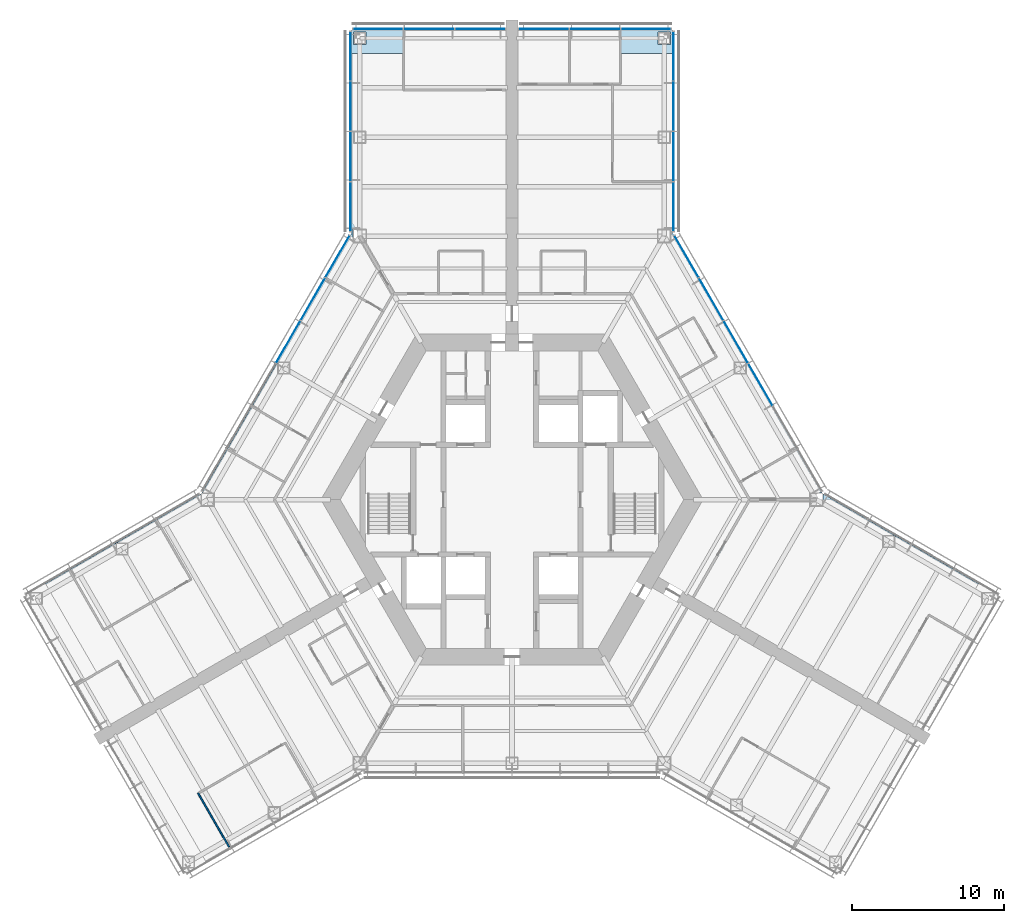
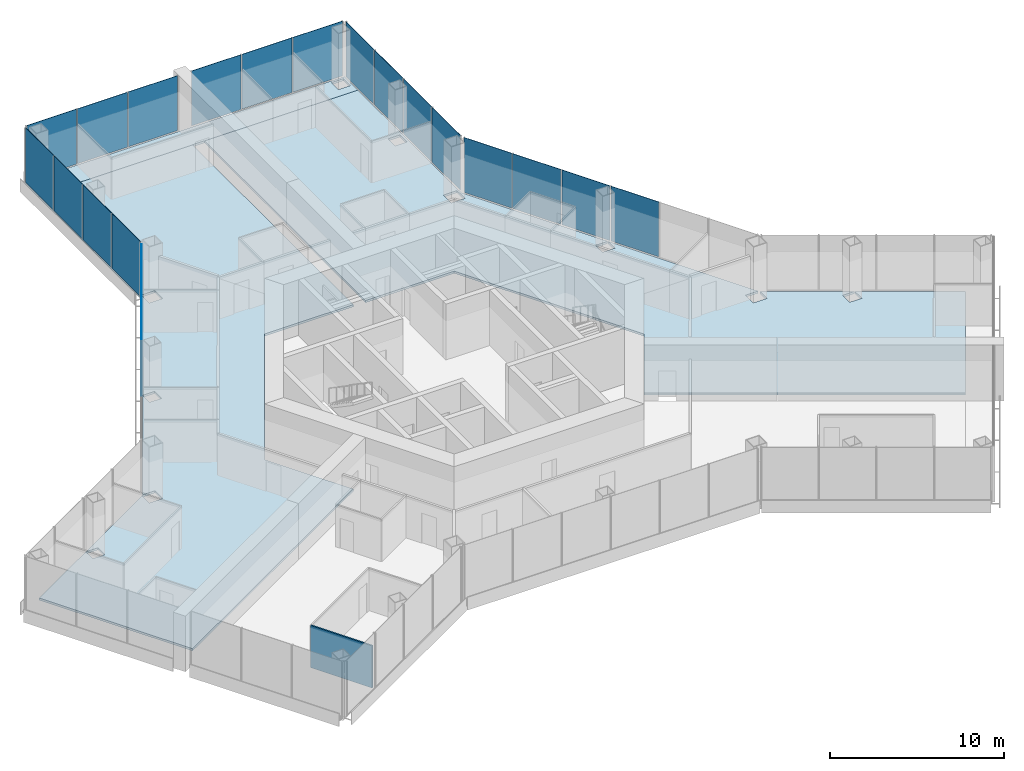
# One storey, part 11 of 18: 21 plates, 3 slabs, 1 wall, 6 elements without a shape of their own.
"""IFC4 building model written with IfcOpenShell, lengths in metres."""

from ifc_helpers import new_model, si_unit, direction, frame, frame_2d, origin, origin_2d, place, context, subcontext, project, spatial, polyline, rectangle, outline, extrude, material, layer, layer_set, type_object, element, aggregate, save


model = new_model("IFC4")

# Units and contexts
model_context = context("Model", 3, precision=1e-05, world=origin(), true_north=direction((0.0, 1.0)))
body_context = subcontext(model_context, "Body", "Model", "MODEL_VIEW")
ifc_project = project(units=[si_unit("LENGTHUNIT", "METRE"), si_unit("AREAUNIT", "SQUARE_METRE"), si_unit("VOLUMEUNIT", "CUBIC_METRE"), si_unit("PLANEANGLEUNIT", "RADIAN"), si_unit("MASSUNIT", "GRAM", prefix="KILO")], contexts=[model_context])

# Site, building, storey
site_placement = place(None, origin())
site = spatial("IfcSite", under=ifc_project, at=site_placement, CompositionType="ELEMENT")
building_placement = place(site_placement, origin())
building = spatial("IfcBuilding", under=site, at=building_placement, Name="Kasaneha Research Tower", CompositionType="ELEMENT")
storey_placement = place(building_placement, frame((0.0, 0.0, 72.89990234375)))
storey = spatial("IfcBuildingStorey", under=building, at=storey_placement, Name="L18", CompositionType="ELEMENT", Elevation=72.89990234375)

# Curtain wall, plates
ifc_material_1 = material(Name="Glass and aluminium", Category="aluminium")
curtain_wall_type = type_object("IfcCurtainWallType", Name="Low-rise office curtain wall", PredefinedType="USERDEFINED", material=ifc_material_1)
curtain_wall_1_placement = place(storey_placement, origin())
curtain_wall_1 = element("IfcCurtainWall", 1, at=curtain_wall_1_placement, inside=storey, type_object=curtain_wall_type, Name="CW-O1 L18 run 07a", ObjectType="UNITISED CURTAIN WALL", PredefinedType="USERDEFINED")
ifc_material_2 = material(Name="Laminated double glazing", Category="glass")
ifc_layer_1 = layer(ifc_material_2, 0.028076171875)
ifc_layer_set_1 = layer_set([ifc_layer_1], Name="CW-O1 glazed panel")
plate_type = type_object("IfcPlateType", Name="CW-O1 glazed panel", PredefinedType="CURTAIN_PANEL", material=ifc_layer_set_1)
plate_1_placement = place(storey_placement, frame((16.331298828125, 7.554443359375, 0.06005859375), z_axis=(0.0, 0.0, 1.0), x_axis=(-0.49999996188, 0.866025425793, 0.0)))
plate_1 = element("IfcPlate", 2, at=plate_1_placement, type_object=plate_type, Name="CW-O1 panel 3", PredefinedType="CURTAIN_PANEL", context=body_context, shape_type="SweptSolid", body=[
    extrude(rectangle(XDim=3.1865234375, YDim=0.028076171875, at=origin_2d()), origin(), (0.0, 0.0, 1.0), 3.840087890625),
])
plate_2_placement = place(storey_placement, frame((14.7080078125, 10.365966796875, 0.06005859375), z_axis=(0.0, 0.0, 1.0), x_axis=(-0.49999996188, 0.866025425793, 0.0)))
plate_2 = element("IfcPlate", 3, at=plate_2_placement, type_object=plate_type, Name="CW-O1 panel 4", PredefinedType="CURTAIN_PANEL", context=body_context, shape_type="SweptSolid", body=[
    extrude(rectangle(XDim=3.1865234375, YDim=0.028076171875, at=origin_2d()), origin(), (0.0, 0.0, 1.0), 3.840087890625),
])
plate_3_placement = place(storey_placement, frame((13.084716796875, 13.177490234375, 0.06005859375), z_axis=(0.0, 0.0, 1.0), x_axis=(-0.49999996188, 0.866025425793, 0.0)))
plate_3 = element("IfcPlate", 4, at=plate_3_placement, type_object=plate_type, Name="CW-O1 panel 5", PredefinedType="CURTAIN_PANEL", context=body_context, shape_type="SweptSolid", body=[
    extrude(rectangle(XDim=3.1865234375, YDim=0.028076171875, at=origin_2d()), origin(), (0.0, 0.0, 1.0), 3.840087890625),
])
plate_4_placement = place(storey_placement, frame((11.468994140625, 15.975830078125, 0.06005859375), z_axis=(0.0, 0.0, 1.0), x_axis=(-0.49999996188, 0.866025425793, 0.0)))
plate_4 = element("IfcPlate", 5, at=plate_4_placement, type_object=plate_type, Name="CW-O1 panel 6", PredefinedType="CURTAIN_PANEL", context=body_context, shape_type="SweptSolid", body=[
    extrude(rectangle(XDim=3.156494140625, YDim=0.028076171875, at=origin_2d()), origin(), (0.0, 0.0, 1.0), 3.840087890625),
])
aggregate(curtain_wall_1, [plate_1, plate_2, plate_3, plate_4])

curtain_wall_2_placement = place(storey_placement, origin())
curtain_wall_2 = element("IfcCurtainWall", 6, at=curtain_wall_2_placement, inside=storey, type_object=curtain_wall_type, Name="CW-O1 L18 run 08a", ObjectType="UNITISED CURTAIN WALL", PredefinedType="USERDEFINED")
plate_5_placement = place(storey_placement, frame((10.60009765625, 19.251220703125, 0.06005859375), z_axis=(0.0, 0.0, 1.0), x_axis=(0.0, 1.0, 0.0)))
plate_5 = element("IfcPlate", 7, at=plate_5_placement, type_object=plate_type, Name="CW-O1 panel 1", PredefinedType="CURTAIN_PANEL", context=body_context, shape_type="SweptSolid", body=[
    extrude(rectangle(XDim=3.2197265625, YDim=0.028076171875, at=origin_2d()), origin(), (0.0, 0.0, 1.0), 3.840087890625),
])
plate_6_placement = place(storey_placement, frame((10.60009765625, 22.5458984375, 0.06005859375), z_axis=(0.0, 0.0, 1.0), x_axis=(0.0, 1.0, 0.0)))
plate_6 = element("IfcPlate", 8, at=plate_6_placement, type_object=plate_type, Name="CW-O1 panel 2", PredefinedType="CURTAIN_PANEL", context=body_context, shape_type="SweptSolid", body=[
    extrude(rectangle(XDim=3.249755859375, YDim=0.028076171875, at=origin_2d()), origin(), (0.0, 0.0, 1.0), 3.840087890625),
])
plate_7_placement = place(storey_placement, frame((10.60009765625, 25.855712890625, 0.06005859375), z_axis=(0.0, 0.0, 1.0), x_axis=(0.0, 1.0, 0.0)))
plate_7 = element("IfcPlate", 9, at=plate_7_placement, type_object=plate_type, Name="CW-O1 panel 3", PredefinedType="CURTAIN_PANEL", context=body_context, shape_type="SweptSolid", body=[
    extrude(rectangle(XDim=3.249755859375, YDim=0.028076171875, at=origin_2d()), origin(), (0.0, 0.0, 1.0), 3.840087890625),
])
plate_8_placement = place(storey_placement, frame((10.60009765625, 29.150634765625, 0.06005859375), z_axis=(0.0, 0.0, 1.0), x_axis=(0.0, 1.0, 0.0)))
plate_8 = element("IfcPlate", 10, at=plate_8_placement, type_object=plate_type, Name="CW-O1 panel 4", PredefinedType="CURTAIN_PANEL", context=body_context, shape_type="SweptSolid", body=[
    extrude(rectangle(XDim=3.2197265625, YDim=0.028076171875, at=origin_2d()), origin(), (0.0, 0.0, 1.0), 3.840087890625),
])
aggregate(curtain_wall_2, [plate_5, plate_6, plate_7, plate_8])

curtain_wall_3_placement = place(storey_placement, origin())
curtain_wall_3 = element("IfcCurtainWall", 11, at=curtain_wall_3_placement, inside=storey, type_object=curtain_wall_type, Name="CW-O1 L18 run 09a", ObjectType="UNITISED CURTAIN WALL", PredefinedType="USERDEFINED")
plate_9_placement = place(storey_placement, frame((8.8017578125, 30.92041015625, 0.06005859375), z_axis=(0.0, 0.0, 1.0), x_axis=(-1.0, 0.0, 0.0)))
plate_9 = element("IfcPlate", 12, at=plate_9_placement, type_object=plate_type, Name="CW-O1 panel 1", PredefinedType="CURTAIN_PANEL", context=body_context, shape_type="SweptSolid", body=[
    extrude(rectangle(XDim=3.276611328125, YDim=0.028076171875, at=origin_2d()), origin(), (0.0, 0.0, 1.0), 3.840087890625),
])
plate_10_placement = place(storey_placement, frame((5.449951171875, 30.92041015625, 0.06005859375), z_axis=(0.0, 0.0, 1.0), x_axis=(-1.0, 0.0, 0.0)))
plate_10 = element("IfcPlate", 13, at=plate_10_placement, type_object=plate_type, Name="CW-O1 panel 2", PredefinedType="CURTAIN_PANEL", context=body_context, shape_type="SweptSolid", body=[
    extrude(rectangle(XDim=3.306640625, YDim=0.028076171875, at=origin_2d()), origin(), (0.0, 0.0, 1.0), 3.840087890625),
])
plate_11_placement = place(storey_placement, frame((2.098388671875, 30.92041015625, 0.06005859375), z_axis=(0.0, 0.0, 1.0), x_axis=(-1.0, 0.0, 0.0)))
plate_11 = element("IfcPlate", 14, at=plate_11_placement, type_object=plate_type, Name="CW-O1 panel 3", PredefinedType="CURTAIN_PANEL", context=body_context, shape_type="SweptSolid", body=[
    extrude(rectangle(XDim=3.276611328125, YDim=0.028076171875, at=origin_2d()), origin(), (0.0, 0.0, 1.0), 3.840087890625),
])
aggregate(curtain_wall_3, [plate_9, plate_10, plate_11])

curtain_wall_4_placement = place(storey_placement, origin())
curtain_wall_4 = element("IfcCurtainWall", 15, at=curtain_wall_4_placement, inside=storey, type_object=curtain_wall_type, Name="CW-O1 L18 run 10a", ObjectType="UNITISED CURTAIN WALL", PredefinedType="USERDEFINED")
plate_12_placement = place(storey_placement, frame((-2.098388671875, 30.92041015625, 0.06005859375), z_axis=(0.0, 0.0, 1.0), x_axis=(-1.0, 0.0, 0.0)))
plate_12 = element("IfcPlate", 16, at=plate_12_placement, type_object=plate_type, Name="CW-O1 panel 1", PredefinedType="CURTAIN_PANEL", context=body_context, shape_type="SweptSolid", body=[
    extrude(rectangle(XDim=3.276611328125, YDim=0.028076171875, at=origin_2d()), origin(), (0.0, 0.0, 1.0), 3.840087890625),
])
plate_13_placement = place(storey_placement, frame((-5.449951171875, 30.92041015625, 0.06005859375), z_axis=(0.0, 0.0, 1.0), x_axis=(-1.0, 0.0, 0.0)))
plate_13 = element("IfcPlate", 17, at=plate_13_placement, type_object=plate_type, Name="CW-O1 panel 2", PredefinedType="CURTAIN_PANEL", context=body_context, shape_type="SweptSolid", body=[
    extrude(rectangle(XDim=3.306640625, YDim=0.028076171875, at=origin_2d()), origin(), (0.0, 0.0, 1.0), 3.840087890625),
])
plate_14_placement = place(storey_placement, frame((-8.8017578125, 30.92041015625, 0.06005859375), z_axis=(0.0, 0.0, 1.0), x_axis=(-1.0, 0.0, 0.0)))
plate_14 = element("IfcPlate", 18, at=plate_14_placement, type_object=plate_type, Name="CW-O1 panel 3", PredefinedType="CURTAIN_PANEL", context=body_context, shape_type="SweptSolid", body=[
    extrude(rectangle(XDim=3.276611328125, YDim=0.028076171875, at=origin_2d()), origin(), (0.0, 0.0, 1.0), 3.840087890625),
])
aggregate(curtain_wall_4, [plate_12, plate_13, plate_14])

curtain_wall_5_placement = place(storey_placement, origin())
curtain_wall_5 = element("IfcCurtainWall", 19, at=curtain_wall_5_placement, inside=storey, type_object=curtain_wall_type, Name="CW-O1 L18 run 11a", ObjectType="UNITISED CURTAIN WALL", PredefinedType="USERDEFINED")
plate_15_placement = place(storey_placement, frame((-10.60009765625, 29.150634765625, 0.06005859375), z_axis=(0.0, 0.0, 1.0), x_axis=(0.0, -1.0, 0.0)))
plate_15 = element("IfcPlate", 20, at=plate_15_placement, type_object=plate_type, Name="CW-O1 panel 1", PredefinedType="CURTAIN_PANEL", context=body_context, shape_type="SweptSolid", body=[
    extrude(rectangle(XDim=3.2197265625, YDim=0.028076171875, at=origin_2d()), origin(), (0.0, 0.0, 1.0), 3.840087890625),
])
plate_16_placement = place(storey_placement, frame((-10.60009765625, 25.855712890625, 0.06005859375), z_axis=(0.0, 0.0, 1.0), x_axis=(0.0, -1.0, 0.0)))
plate_16 = element("IfcPlate", 21, at=plate_16_placement, type_object=plate_type, Name="CW-O1 panel 2", PredefinedType="CURTAIN_PANEL", context=body_context, shape_type="SweptSolid", body=[
    extrude(rectangle(XDim=3.249755859375, YDim=0.028076171875, at=origin_2d()), origin(), (0.0, 0.0, 1.0), 3.840087890625),
])
plate_17_placement = place(storey_placement, frame((-10.60009765625, 22.5458984375, 0.06005859375), z_axis=(0.0, 0.0, 1.0), x_axis=(0.0, -1.0, 0.0)))
plate_17 = element("IfcPlate", 22, at=plate_17_placement, type_object=plate_type, Name="CW-O1 panel 3", PredefinedType="CURTAIN_PANEL", context=body_context, shape_type="SweptSolid", body=[
    extrude(rectangle(XDim=3.249755859375, YDim=0.028076171875, at=origin_2d()), origin(), (0.0, 0.0, 1.0), 3.840087890625),
])
plate_18_placement = place(storey_placement, frame((-10.60009765625, 19.251220703125, 0.06005859375), z_axis=(0.0, 0.0, 1.0), x_axis=(0.0, -1.0, 0.0)))
plate_18 = element("IfcPlate", 23, at=plate_18_placement, type_object=plate_type, Name="CW-O1 panel 4", PredefinedType="CURTAIN_PANEL", context=body_context, shape_type="SweptSolid", body=[
    extrude(rectangle(XDim=3.2197265625, YDim=0.028076171875, at=origin_2d()), origin(), (0.0, 0.0, 1.0), 3.840087890625),
])
aggregate(curtain_wall_5, [plate_15, plate_16, plate_17, plate_18])

curtain_wall_6_placement = place(storey_placement, origin())
curtain_wall_6 = element("IfcCurtainWall", 24, at=curtain_wall_6_placement, inside=storey, type_object=curtain_wall_type, Name="CW-O1 L18 run 12a", ObjectType="UNITISED CURTAIN WALL", PredefinedType="USERDEFINED")
plate_19_placement = place(storey_placement, frame((-11.468994140625, 15.975830078125, 0.06005859375), z_axis=(0.0, 0.0, 1.0), x_axis=(-0.49999996188, -0.866025425793, 0.0)))
plate_19 = element("IfcPlate", 25, at=plate_19_placement, type_object=plate_type, Name="CW-O1 panel 1", PredefinedType="CURTAIN_PANEL", context=body_context, shape_type="SweptSolid", body=[
    extrude(rectangle(XDim=3.156494140625, YDim=0.028076171875, at=origin_2d()), origin(), (0.0, 0.0, 1.0), 3.840087890625),
])
plate_20_placement = place(storey_placement, frame((-13.084716796875, 13.177490234375, 0.06005859375), z_axis=(0.0, 0.0, 1.0), x_axis=(-0.49999996188, -0.866025425793, 0.0)))
plate_20 = element("IfcPlate", 26, at=plate_20_placement, type_object=plate_type, Name="CW-O1 panel 2", PredefinedType="CURTAIN_PANEL", context=body_context, shape_type="SweptSolid", body=[
    extrude(rectangle(XDim=3.1865234375, YDim=0.028076171875, at=origin_2d()), origin(), (0.0, 0.0, 1.0), 3.840087890625),
])
plate_21_placement = place(storey_placement, frame((-14.7080078125, 10.365966796875, 0.06005859375), z_axis=(0.0, 0.0, 1.0), x_axis=(-0.49999996188, -0.866025425793, 0.0)))
plate_21 = element("IfcPlate", 27, at=plate_21_placement, type_object=plate_type, Name="CW-O1 panel 3", PredefinedType="CURTAIN_PANEL", context=body_context, shape_type="SweptSolid", body=[
    extrude(rectangle(XDim=3.1865234375, YDim=0.028076171875, at=origin_2d()), origin(), (0.0, 0.0, 1.0), 3.840087890625),
])
aggregate(curtain_wall_6, [plate_19, plate_20, plate_21])

# Slabs
ifc_material_3 = material(Name="Concrete Fc24", Category="concrete")
ifc_layer_2 = layer(ifc_material_3, 0.14990234375)
ifc_layer_set_2 = layer_set([ifc_layer_2], Name="Floor slab 150")
slab_type = type_object("IfcSlabType", Name="Floor slab 150", PredefinedType="FLOOR", material=ifc_layer_set_2)
slab_1_placement = place(storey_placement, frame((0.0, 0.0, -0.14990234375)))
element("IfcSlab", 28, at=slab_1_placement, inside=storey, type_object=slab_type, Name="Floor slab L18 2", PredefinedType="FLOOR", context=body_context, shape_type="SweptSolid", body=[
    extrude(outline(polyline([(-20.375244140625, 0.449951171875), (-15.40771484375, 9.053955078125), (-15.400146484375, 9.046142578125), (-15.400146484375, 8.26025390625), (-14.599853515625, 8.26025390625), (-14.599853515625, 9.060302734375), (-15.385986328125, 9.060302734375), (-15.3974609375, 9.07177734375), (-10.550048828125, 17.4677734375), (-10.550048828125, 29.310546875), (-0.39990234375, 29.310546875), (-0.39990234375, 10.875), (-6.278564453125, 10.875), (-12.557373046875, 0.0), (-9.617919921875, -5.091064453125), (-25.583740234375, -14.308837890625), (-30.65869140625, -5.518798828125), (-26.040771484375, -2.8525390625), (-26.029296875, -2.864013671875), (-26.029296875, -3.650146484375), (-25.22900390625, -3.650146484375), (-25.22900390625, -2.849853515625), (-26.01513671875, -2.849853515625), (-26.02294921875, -2.84228515625), (-20.449951171875, 0.375244140625), (-20.449951171875, -0.449951171875), (-19.550048828125, -0.449951171875), (-19.550048828125, 0.449951171875), (-20.375244140625, 0.449951171875)]), holes=[polyline([(-9.550048828125, 17.7705078125), (-10.449951171875, 17.7705078125), (-10.449951171875, 16.87060546875), (-9.550048828125, 16.87060546875), (-9.550048828125, 17.7705078125)]), polyline([(-9.60009765625, 23.42041015625), (-9.60009765625, 24.220458984375), (-10.39990234375, 24.220458984375), (-10.39990234375, 23.42041015625), (-9.60009765625, 23.42041015625)])]), origin(), (0.0, 0.0, 1.0), 0.14990234375),
])
slab_2_placement = place(storey_placement, frame((0.0, 0.0, -0.14990234375)))
element("IfcSlab", 29, at=slab_2_placement, inside=storey, type_object=slab_type, Name="Floor slab L18 3", PredefinedType="FLOOR", context=body_context, shape_type="SweptSolid", body=[
    extrude(outline(polyline([(10.550048828125, 29.310546875), (0.39990234375, 29.310546875), (0.39990234375, 29.320556640625), (-0.39990234375, 29.320556640625), (-0.39990234375, 29.310546875), (-10.550048828125, 29.310546875), (-10.550048828125, 30.87060546875), (10.550048828125, 30.87060546875), (10.550048828125, 29.310546875)]), holes=[polyline([(-9.60009765625, 30.720458984375), (-10.39990234375, 30.720458984375), (-10.39990234375, 29.92041015625), (-9.60009765625, 29.92041015625), (-9.60009765625, 30.720458984375)]), polyline([(10.39990234375, 29.92041015625), (10.39990234375, 30.720458984375), (9.60009765625, 30.720458984375), (9.60009765625, 29.92041015625), (10.39990234375, 29.92041015625)])]), origin(), (0.0, 0.0, 1.0), 0.14990234375),
])
slab_3_placement = place(storey_placement, frame((0.0, 0.0, -0.14990234375)))
element("IfcSlab", 30, at=slab_3_placement, inside=storey, type_object=slab_type, Name="Floor slab L18 5", PredefinedType="FLOOR", context=body_context, shape_type="SweptSolid", body=[
    extrude(outline(polyline([(9.617919921875, -5.091064453125), (12.557373046875, 0.0), (6.278564453125, 10.875), (0.39990234375, 10.875), (0.39990234375, 29.310546875), (10.550048828125, 29.310546875), (10.550048828125, 17.4677734375), (15.3974609375, 9.07177734375), (15.385986328125, 9.060302734375), (14.599853515625, 9.060302734375), (14.599853515625, 8.26025390625), (15.400146484375, 8.26025390625), (15.400146484375, 9.046142578125), (15.40771484375, 9.053955078125), (20.375244140625, 0.449951171875), (19.550048828125, 0.449951171875), (19.550048828125, -0.449951171875), (20.449951171875, -0.449951171875), (20.449951171875, 0.375244140625), (25.15673828125, -2.34228515625), (25.149169921875, -2.349853515625), (24.363037109375, -2.349853515625), (24.363037109375, -3.150146484375), (25.163330078125, -3.150146484375), (25.163330078125, -2.364013671875), (25.1748046875, -2.3525390625), (30.65869140625, -5.518798828125), (25.583740234375, -14.308837890625), (9.617919921875, -5.091064453125)]), holes=[polyline([(10.449951171875, 16.87060546875), (10.449951171875, 17.7705078125), (9.550048828125, 17.7705078125), (9.550048828125, 16.87060546875), (10.449951171875, 16.87060546875)]), polyline([(10.39990234375, 23.42041015625), (10.39990234375, 24.220458984375), (9.60009765625, 24.220458984375), (9.60009765625, 23.42041015625), (10.39990234375, 23.42041015625)])]), origin(), (0.0, 0.0, 1.0), 0.14990234375),
])

# Wall
ifc_material_4 = material(Name="Gypsum board on steel studs, one layer each side", Category="steel")
ifc_layer_3 = layer(ifc_material_4, 0.10009765625)
ifc_layer_set_3 = layer_set([ifc_layer_3], Name="Office partition 100")
wall_type = type_object("IfcWallType", Name="Office partition 100", PredefinedType="PARTITIONING", material=ifc_layer_set_3)
wall_placement = place(storey_placement, frame((-18.5849609375, -22.831298828125, 0.0), z_axis=(0.0, 0.0, 1.0), x_axis=(-0.500000428765, 0.866025156237, 0.0)))
element("IfcWall", 31, at=wall_placement, inside=storey, type_object=wall_type, Name="Office partition FBS08 L18", PredefinedType="PARTITIONING", context=body_context, shape_type="SweptSolid", body=[
    extrude(rectangle(XDim=4.080078125, YDim=0.10009765625, at=frame_2d((2.0400390625, 0.0))), origin(), (0.0, 0.0, 1.0), 2.9501953125),
])

save(model, "model.ifc")
